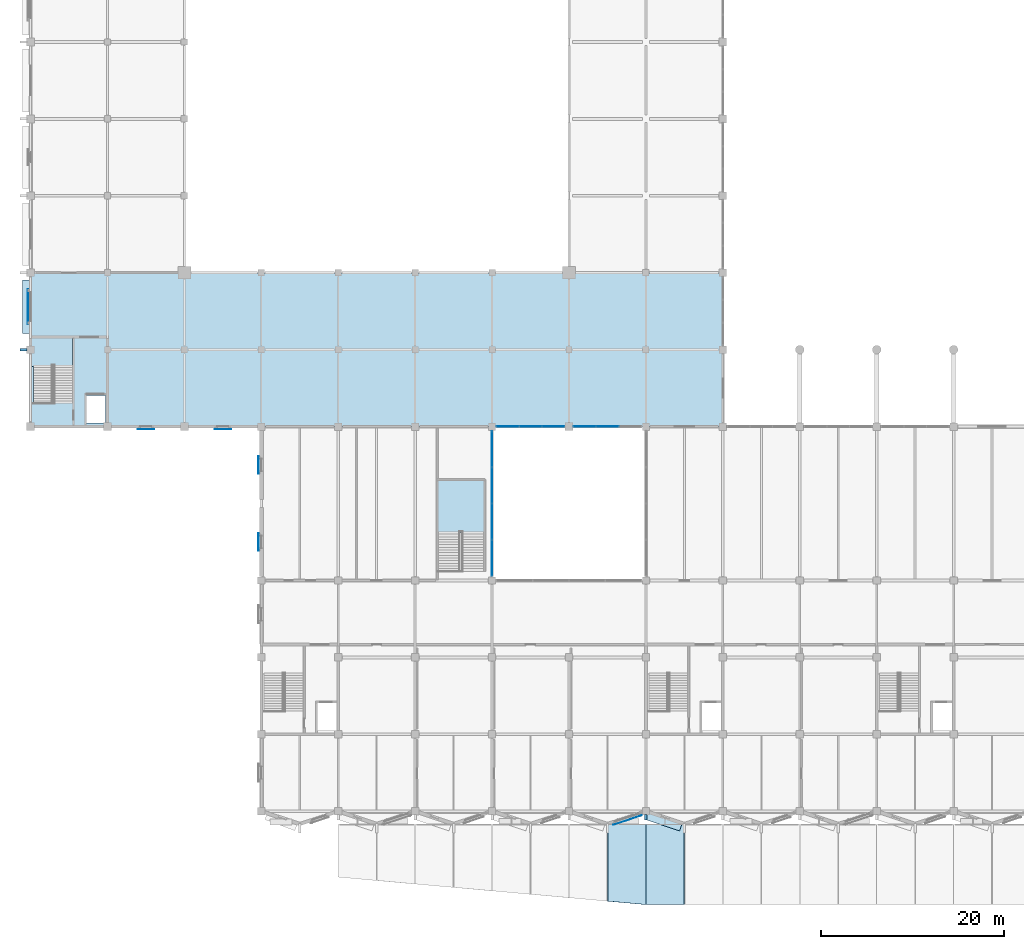
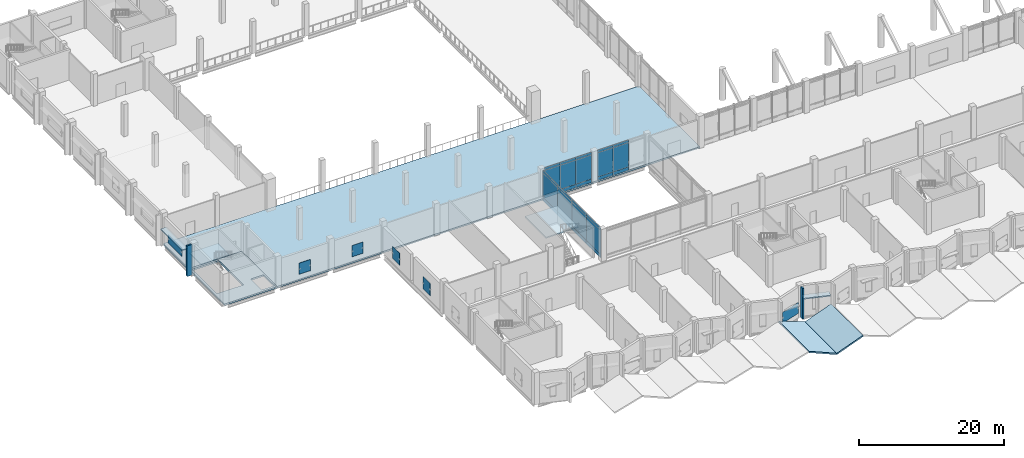
# One storey, part 34 of 72: 37 plates, 6 slabs, 5 elements without a shape of their own.
"""IFC4 building model written with IfcOpenShell, lengths in metres."""

from ifc_helpers import new_model, si_unit, direction, frame, frame_2d, origin, place, context, subcontext, project, spatial, polyline, rectangle, outline, extrude, material, layer, layer_set, type_object, element, aggregate, save


model = new_model("IFC4")

# Units and contexts
model_context = context("Model", 3, precision=1e-05, world=origin(), true_north=direction((0.0, 1.0)))
body_context = subcontext(model_context, "Body", "Model", "MODEL_VIEW")
ifc_project = project(units=[si_unit("LENGTHUNIT", "METRE"), si_unit("AREAUNIT", "SQUARE_METRE"), si_unit("VOLUMEUNIT", "CUBIC_METRE"), si_unit("PLANEANGLEUNIT", "RADIAN"), si_unit("MASSUNIT", "GRAM", prefix="KILO")], contexts=[model_context])

# Site, building, storey
site_placement = place(None, origin())
site = spatial("IfcSite", under=ifc_project, at=site_placement, CompositionType="ELEMENT")
building_placement = place(site_placement, origin())
building = spatial("IfcBuilding", under=site, at=building_placement, Name="Qawsi Khor Wholesale Market", CompositionType="ELEMENT")
storey_placement = place(building_placement, frame((0.0, 0.0, 6.0)))
storey = spatial("IfcBuildingStorey", under=building, at=storey_placement, Name="L01", CompositionType="ELEMENT", Elevation=6.0)

# Stair, slab
ifc_material_1 = material(Name="Concrete C40/50", Category="concrete")
stair_type_1 = type_object("IfcStairType", Name="Atrium Feature Stair 5400 Rise", PredefinedType="HALF_TURN_STAIR", material=ifc_material_1)
stair_1_placement = place(storey_placement, origin())
stair_1 = element("IfcStair", 1, at=stair_1_placement, inside=storey, type_object=stair_type_1, Name="Atrium feature stair W L01", PredefinedType="HALF_TURN_STAIR")
ifc_layer_1 = layer(ifc_material_1, 0.199951171875, Name="Concrete C40/50")
ifc_layer_set_1 = layer_set([ifc_layer_1], Name="Concrete C40/50")
slab_type_1 = type_object("IfcSlabType", Name="Atrium Feature Landing Slab 200 C40/50", PredefinedType="LANDING", material=ifc_layer_set_1)
slab_1_placement = place(storey_placement, frame((0.0, 0.0, 2.5)))
slab_1 = element("IfcSlab", 2, at=slab_1_placement, type_object=slab_type_1, Name="ST-AW-1 landing 1", PredefinedType="LANDING", context=body_context, shape_type="SweptSolid", body=[
    extrude(outline(polyline([(44.419921875, 30.389892578125), (49.580078125, 30.389892578125), (49.580078125, 36.219970703125), (44.419921875, 36.219970703125), (44.419921875, 30.389892578125)])), origin(), (0.0, 0.0, 1.0), 0.199951171875),
])
aggregate(stair_1, [slab_1])

# Slabs
ifc_layer_2 = layer(ifc_material_1, 0.22998046875, Name="Concrete C40/50")
ifc_layer_set_2 = layer_set([ifc_layer_2], Name="Concrete C40/50")
slab_type_2 = type_object("IfcSlabType", Name="Folded Concrete Canopy Slab 230 C40/50", PredefinedType="ROOF", material=ifc_layer_set_2)
slab_2_placement = place(storey_placement, frame((63.044921875, -9.824951171875, 1.419921875), z_axis=(0.353429429104, 0.0, 0.935461190346), x_axis=(0.932144938499, -0.084128011372, -0.352176505937)))
element("IfcSlab", 3, at=slab_2_placement, inside=storey, type_object=slab_type_2, Name="Boulevard Origami Canopy Facet 07B", PredefinedType="ROOF", context=body_context, shape_type="SweptSolid", body=[
    extrude(outline(polyline([(0.0, 0.0), (4.457492740954674, 0.0), (3.721372641452897, 8.71898085782447), (-0.7045720952374146, 8.345310249631991), (0.0, 0.0)])), origin(), (0.0, 0.0, -1.0), 0.22998046875),
])
slab_3_placement = place(storey_placement, frame((67.199951171875, -10.199951171875, -0.14990234375), z_axis=(-0.353429429104, 0.0, 0.935461190346), x_axis=(0.935461190346, 0.0, 0.353429429104)))
element("IfcSlab", 4, at=slab_3_placement, inside=storey, type_object=slab_type_2, Name="Boulevard Origami Canopy Facet 08A", PredefinedType="ROOF", context=body_context, shape_type="SweptSolid", body=[
    extrude(outline(polyline([(0.0, 0.0), (4.441690729402894, 0.0), (4.441690729402894, 8.75), (0.0, 8.75), (0.0, 0.0)])), origin(), (0.0, 0.0, -1.0), 0.22998046875),
])

# Curtain wall, plates
ifc_material_2 = material(Name="Aluminium Anodised Bronze", Category="aluminium")
ifc_layer_3 = layer(ifc_material_2, 0.179931640625, Name="Aluminium Anodised Bronze")
ifc_layer_set_3 = layer_set([ifc_layer_3], Name="Aluminium Anodised Bronze")
curtain_wall_type = type_object("IfcCurtainWallType", Name="Atrium Full-Height Curtain Wall CW-02", PredefinedType="NOTDEFINED", material=ifc_layer_set_3)
curtain_wall_1_placement = place(storey_placement, origin())
curtain_wall_1 = element("IfcCurtainWall", 5, at=curtain_wall_1_placement, inside=storey, type_object=curtain_wall_type, Name="Curtain wall CW-CW-02-L01-017", PredefinedType="NOTDEFINED")
ifc_material_3 = material(Name="Anodised Aluminium Spandrel", Category="aluminium")
ifc_layer_4 = layer(ifc_material_3, 0.06494140625, Name="Anodised Aluminium Spandrel")
ifc_layer_set_4 = layer_set([ifc_layer_4], Name="Anodised Aluminium Spandrel")
plate_type_1 = type_object("IfcPlateType", Name="Insulated Spandrel Panel CW-02 65mm", PredefinedType="CURTAIN_PANEL", material=ifc_layer_set_4)
plate_1_placement = place(storey_placement, frame((50.89501953125, 42.0, 0.0048828125), z_axis=(0.0, 0.0, 1.0), x_axis=(1.0, 0.0, 0.0)))
plate_1 = element("IfcPlate", 6, at=plate_1_placement, type_object=plate_type_1, Name="Curtain panel CW-CW-02-L01-017-P0_00", PredefinedType="CURTAIN_PANEL", context=body_context, shape_type="SweptSolid", body=[
    extrude(rectangle(XDim=2.469970703125, YDim=0.06494140625, at=frame_2d((1.23486328125, 0.0))), origin(), (0.0, 0.0, 1.0), 0.590087890625),
])
plate_2_placement = place(storey_placement, frame((53.364990234375, 42.0, 0.0048828125), z_axis=(0.0, 0.0, 1.0), x_axis=(1.0, 0.0, 0.0)))
plate_2 = element("IfcPlate", 7, at=plate_2_placement, type_object=plate_type_1, Name="Curtain panel CW-CW-02-L01-017-P0_01", PredefinedType="CURTAIN_PANEL", context=body_context, shape_type="SweptSolid", body=[
    extrude(rectangle(XDim=2.469970703125, YDim=0.06494140625, at=frame_2d((1.23486328125, 0.0))), origin(), (0.0, 0.0, 1.0), 0.590087890625),
])
plate_3_placement = place(storey_placement, frame((55.8349609375, 42.0, 0.0048828125), z_axis=(0.0, 0.0, 1.0), x_axis=(1.0, 0.0, 0.0)))
plate_3 = element("IfcPlate", 8, at=plate_3_placement, type_object=plate_type_1, Name="Curtain panel CW-CW-02-L01-017-P0_02", PredefinedType="CURTAIN_PANEL", context=body_context, shape_type="SweptSolid", body=[
    extrude(rectangle(XDim=2.469970703125, YDim=0.06494140625, at=frame_2d((1.23486328125, 0.0))), origin(), (0.0, 0.0, 1.0), 0.590087890625),
])

curtain_wall_2_placement = place(storey_placement, origin())
curtain_wall_2 = element("IfcCurtainWall", 9, at=curtain_wall_2_placement, inside=storey, type_object=curtain_wall_type, Name="Curtain wall CW-CW-02-L01-018", PredefinedType="NOTDEFINED")
plate_4_placement = place(storey_placement, frame((59.294921875, 42.0, 0.0048828125), z_axis=(0.0, 0.0, 1.0), x_axis=(1.0, 0.0, 0.0)))
plate_4 = element("IfcPlate", 10, at=plate_4_placement, type_object=plate_type_1, Name="Curtain panel CW-CW-02-L01-018-P0_00", PredefinedType="CURTAIN_PANEL", context=body_context, shape_type="SweptSolid", body=[
    extrude(rectangle(XDim=2.469970703125, YDim=0.06494140625, at=frame_2d((1.23486328125, 0.0))), origin(), (0.0, 0.0, 1.0), 0.590087890625),
])
plate_5_placement = place(storey_placement, frame((61.764892578125, 42.0, 0.0048828125), z_axis=(0.0, 0.0, 1.0), x_axis=(1.0, 0.0, 0.0)))
plate_5 = element("IfcPlate", 11, at=plate_5_placement, type_object=plate_type_1, Name="Curtain panel CW-CW-02-L01-018-P0_01", PredefinedType="CURTAIN_PANEL", context=body_context, shape_type="SweptSolid", body=[
    extrude(rectangle(XDim=2.47021484375, YDim=0.06494140625, at=frame_2d((1.235107421875, 0.0))), origin(), (0.0, 0.0, 1.0), 0.590087890625),
])

curtain_wall_3_placement = place(storey_placement, origin())
curtain_wall_3 = element("IfcCurtainWall", 12, at=curtain_wall_3_placement, inside=storey, type_object=curtain_wall_type, Name="Curtain wall CW-CW-02-L01-019", PredefinedType="NOTDEFINED")
plate_6_placement = place(storey_placement, frame((50.39990234375, 25.695068359375, 0.0048828125), z_axis=(0.0, 0.0, 1.0), x_axis=(0.0, 1.0, 0.0)))
plate_6 = element("IfcPlate", 13, at=plate_6_placement, type_object=plate_type_1, Name="Curtain panel CW-CW-02-L01-019-P0_00", PredefinedType="CURTAIN_PANEL", context=body_context, shape_type="SweptSolid", body=[
    extrude(rectangle(XDim=3.952392578125, YDim=0.06494140625, at=frame_2d((1.97607421875, 0.0))), origin(), (0.0, 0.0, 1.0), 0.590087890625),
])
plate_7_placement = place(storey_placement, frame((50.39990234375, 29.6474609375, 0.0048828125), z_axis=(0.0, 0.0, 1.0), x_axis=(0.0, 1.0, 0.0)))
plate_7 = element("IfcPlate", 14, at=plate_7_placement, type_object=plate_type_1, Name="Curtain panel CW-CW-02-L01-019-P0_01", PredefinedType="CURTAIN_PANEL", context=body_context, shape_type="SweptSolid", body=[
    extrude(rectangle(XDim=3.95263671875, YDim=0.06494140625, at=frame_2d((1.976318359375, 0.0))), origin(), (0.0, 0.0, 1.0), 0.590087890625),
])
plate_8_placement = place(storey_placement, frame((50.39990234375, 33.60009765625, 0.0048828125), z_axis=(0.0, 0.0, 1.0), x_axis=(0.0, 1.0, 0.0)))
plate_8 = element("IfcPlate", 15, at=plate_8_placement, type_object=plate_type_1, Name="Curtain panel CW-CW-02-L01-019-P0_02", PredefinedType="CURTAIN_PANEL", context=body_context, shape_type="SweptSolid", body=[
    extrude(rectangle(XDim=3.952392578125, YDim=0.06494140625, at=frame_2d((1.97607421875, 0.0))), origin(), (0.0, 0.0, 1.0), 0.590087890625),
])
plate_9_placement = place(storey_placement, frame((50.39990234375, 37.552490234375, 0.0048828125), z_axis=(0.0, 0.0, 1.0), x_axis=(0.0, 1.0, 0.0)))
plate_9 = element("IfcPlate", 16, at=plate_9_placement, type_object=plate_type_1, Name="Curtain panel CW-CW-02-L01-019-P0_03", PredefinedType="CURTAIN_PANEL", context=body_context, shape_type="SweptSolid", body=[
    extrude(rectangle(XDim=3.952392578125, YDim=0.06494140625, at=frame_2d((1.97607421875, 0.0))), origin(), (0.0, 0.0, 1.0), 0.590087890625),
])

# Slab
ifc_layer_5 = layer(ifc_material_1, 0.27001953125, Name="Concrete C40/50")
ifc_layer_set_5 = layer_set([ifc_layer_5], Name="Concrete C40/50")
slab_type_3 = type_object("IfcSlabType", Name="Mezzanine Floor Slab 265 C40/50", PredefinedType="FLOOR", material=ifc_layer_set_5)
slab_4_placement = place(storey_placement, frame((0.0, 0.0, -0.27001953125)))
element("IfcSlab", 17, at=slab_4_placement, inside=storey, type_object=slab_type_3, Name="SLB-L01-WHALL-S", PredefinedType="FLOOR", context=body_context, shape_type="SweptSolid", body=[
    extrude(outline(polyline([(0.0, 58.800048828125), (75.60009765625, 58.800048828125), (75.60009765625, 42.0), (8.39990234375, 42.0), (8.39990234375, 51.800048828125), (0.0, 51.800048828125), (0.0, 58.800048828125)])), origin(), (0.0, 0.0, 1.0), 0.27001953125),
])

# Plates
ifc_material_4 = material(Name="Perforated Bronze-Anodised Aluminium", Category="aluminium")
ifc_layer_6 = layer(ifc_material_4, 0.014892578125, Name="Perforated Bronze-Anodised Aluminium")
ifc_layer_set_6 = layer_set([ifc_layer_6], Name="Perforated Bronze-Anodised Aluminium")
plate_type_2 = type_object("IfcPlateType", Name="Perforated Bronze Mashrabiya Screen 15mm", PredefinedType="SHEET", material=ifc_layer_set_6)
plate_10_placement = place(storey_placement, frame((66.756103515625, -0.448486328125, 0.85009765625), z_axis=(0.0, 0.0, 1.0), x_axis=(-0.948690696143, -0.316205570874, 0.0)))
element("IfcPlate", 18, at=plate_10_placement, inside=storey, type_object=plate_type_2, Name="Solar mashrabiya screen 005", PredefinedType="SHEET", context=body_context, shape_type="SweptSolid", body=[
    extrude(rectangle(XDim=3.300048828125, YDim=0.014892578125, at=frame_2d((1.64990234375, 0.0))), origin(), (0.0, 0.0, 1.0), 1.849853515625),
])
plate_11_placement = place(storey_placement, frame((13.5, 41.72509765625, 1.050048828125), z_axis=(0.0, 0.0, 1.0), x_axis=(-1.0, 0.0, 0.0)))
element("IfcPlate", 19, at=plate_11_placement, inside=storey, type_object=plate_type_2, Name="Solar mashrabiya screen 074", PredefinedType="SHEET", context=body_context, shape_type="SweptSolid", body=[
    extrude(rectangle(XDim=1.800048828125, YDim=0.014892578125, at=frame_2d((0.89990234375, 0.0))), origin(), (0.0, 0.0, 1.0), 1.89990234375),
])
plate_12_placement = place(storey_placement, frame((21.89990234375, 41.72509765625, 1.050048828125), z_axis=(0.0, 0.0, 1.0), x_axis=(-1.0, 0.0, 0.0)))
element("IfcPlate", 20, at=plate_12_placement, inside=storey, type_object=plate_type_2, Name="Solar mashrabiya screen 075", PredefinedType="SHEET", context=body_context, shape_type="SweptSolid", body=[
    extrude(rectangle(XDim=1.7998046875, YDim=0.014892578125, at=frame_2d((0.89990234375, 0.0))), origin(), (0.0, 0.0, 1.0), 1.89990234375),
])
ifc_layer_7 = layer(ifc_material_4, 0.02001953125, Name="Perforated Bronze-Anodised Aluminium")
ifc_layer_set_7 = layer_set([ifc_layer_7], Name="Perforated Bronze-Anodised Aluminium")
plate_type_3 = type_object("IfcPlateType", Name="Perforated Bronze Mashrabiya Screen 20mm", PredefinedType="SHEET", material=ifc_layer_set_7)
for number, where, z_axis, x_axis, name in (
    (21, (24.885009765625, 28.425048828125, 0.89990234375), (0.0, 0.0, 1.0), (0.0, 1.0, 0.0), "Solar mashrabiya screen 058"),
    (22, (24.885009765625, 36.824951171875, 0.89990234375), (0.0, 0.0, 1.0), (0.0, 1.0, 0.0), "Solar mashrabiya screen 059"),
):
    element("IfcPlate", number, at=place(storey_placement, frame(where, z_axis=z_axis, x_axis=x_axis)), inside=storey, type_object=plate_type_3, Name=name, PredefinedType="SHEET", context=body_context, shape_type="SweptSolid", body=[
        extrude(rectangle(XDim=1.949951171875, YDim=0.02001953125, at=frame_2d((0.97509765625, 0.0))), origin(), (0.0, 0.0, 1.0), 2.050048828125),
    ])
plate_13_placement = place(storey_placement, frame((-0.27490234375, 53.18505859375, 1.300048828125), z_axis=(0.0, 0.0, 1.0), x_axis=(0.0, 1.0, 0.0)))
element("IfcPlate", 23, at=plate_13_placement, inside=storey, type_object=plate_type_3, Name="Solar mashrabiya screen 071", PredefinedType="SHEET", context=body_context, shape_type="SweptSolid", body=[
    extrude(rectangle(XDim=3.800048828125, YDim=0.02001953125, at=frame_2d((1.89990234375, 0.0))), origin(), (0.0, 0.0, 1.0), 1.39990234375),
])
ifc_layer_8 = layer(ifc_material_1, 0.260009765625, Name="Concrete C40/50")
ifc_layer_set_8 = layer_set([ifc_layer_8], Name="Concrete C40/50")
plate_type_4 = type_object("IfcPlateType", Name="Sculpted Concrete Solar Buttress Fin 260", PredefinedType="SHEET", material=ifc_layer_set_8)
plate_14_placement = place(storey_placement, frame((67.199951171875, -0.949951171875, 0.0), z_axis=(0.0, 0.0, 1.0), x_axis=(0.0, 1.0, 0.0)))
element("IfcPlate", 24, at=plate_14_placement, inside=storey, type_object=plate_type_4, Name="Boulevard concrete solar buttress fin L01-10", PredefinedType="SHEET", context=body_context, shape_type="SweptSolid", body=[
    extrude(rectangle(XDim=0.570068359375, YDim=0.260009765625, at=frame_2d((0.28515625, 0.0))), origin(), (0.0, 0.0, 1.0), 5.1201171875),
])
plate_15_placement = place(storey_placement, frame((-1.14990234375, 50.39990234375, 0.0), z_axis=(0.0, 0.0, 1.0), x_axis=(1.0, 0.0, 0.0)))
element("IfcPlate", 25, at=plate_15_placement, inside=storey, type_object=plate_type_4, Name="West Hall Concrete Buttress Rib L01-6", PredefinedType="SHEET", context=body_context, shape_type="SweptSolid", body=[
    extrude(rectangle(XDim=0.760009765625, YDim=0.260009765625, at=frame_2d((0.3798828125, 0.0))), origin(), (0.0, 0.0, 1.0), 5.1298828125),
])
ifc_layer_9 = layer(ifc_material_1, 0.949951171875, Name="Concrete C40/50")
ifc_layer_set_9 = layer_set([ifc_layer_9], Name="Concrete C40/50")
plate_type_5 = type_object("IfcPlateType", Name="Sculpted Concrete Sun-Hood Canopy 950", PredefinedType="SHEET", material=ifc_layer_set_9)
plate_16_placement = place(storey_placement, frame((67.310791015625, -0.45849609375, 3.25), z_axis=(0.0, 0.0, 1.0), x_axis=(0.94867708111, -0.316246416226, 0.0)))
element("IfcPlate", 26, at=plate_16_placement, inside=storey, type_object=plate_type_5, Name="Sculpted concrete sun-hood L01-11", PredefinedType="SHEET", context=body_context, shape_type="SweptSolid", body=[
    extrude(rectangle(XDim=3.92724609375, YDim=0.949951171875, at=frame_2d((1.963623046875, 0.0))), origin(), (0.0, 0.0, 1.0), 0.18994140625),
])
plate_17_placement = place(storey_placement, frame((-0.425048828125, 52.14990234375, 3.050048828125), z_axis=(0.0, 0.0, 1.0), x_axis=(0.0, 1.0, 0.0)))
element("IfcPlate", 27, at=plate_17_placement, inside=storey, type_object=plate_type_5, Name="West Hall Concrete Sun-Hood L01-6", PredefinedType="SHEET", context=body_context, shape_type="SweptSolid", body=[
    extrude(rectangle(XDim=5.8701171875, YDim=0.949951171875, at=frame_2d((2.93505859375, 0.0))), origin(), (0.0, 0.0, 1.0), 0.18994140625),
])

# Plate
ifc_material_5 = material(Name="Tempered Low-E Solar Glass", Category="glass")
ifc_layer_10 = layer(ifc_material_5, 0.031982421875, Name="Tempered Low-E Solar Glass")
ifc_layer_set_10 = layer_set([ifc_layer_10], Name="Tempered Low-E Solar Glass")
plate_type_6 = type_object("IfcPlateType", Name="Solar Double-Glazed Unit CW-02 32mm", PredefinedType="CURTAIN_PANEL", material=ifc_layer_set_10)
plate_18_placement = place(storey_placement, frame((50.89501953125, 42.0, 0.60498046875), z_axis=(0.0, 0.0, 1.0), x_axis=(1.0, 0.0, 0.0)))
plate_18 = element("IfcPlate", 28, at=plate_18_placement, type_object=plate_type_6, Name="Curtain panel CW-CW-02-L01-017-P1_00", PredefinedType="CURTAIN_PANEL", context=body_context, shape_type="SweptSolid", body=[
    extrude(rectangle(XDim=2.469970703125, YDim=0.031982421875, at=frame_2d((1.23486328125, 0.0))), origin(), (0.0, 0.0, 1.0), 4.06005859375),
])

plate_19_placement = place(storey_placement, frame((53.364990234375, 42.0, 0.60498046875), z_axis=(0.0, 0.0, 1.0), x_axis=(1.0, 0.0, 0.0)))
plate_19 = element("IfcPlate", 29, at=plate_19_placement, type_object=plate_type_6, Name="Curtain panel CW-CW-02-L01-017-P1_01", PredefinedType="CURTAIN_PANEL", context=body_context, shape_type="SweptSolid", body=[
    extrude(rectangle(XDim=2.469970703125, YDim=0.031982421875, at=frame_2d((1.23486328125, 0.0))), origin(), (0.0, 0.0, 1.0), 4.06005859375),
])

plate_20_placement = place(storey_placement, frame((55.8349609375, 42.0, 0.60498046875), z_axis=(0.0, 0.0, 1.0), x_axis=(1.0, 0.0, 0.0)))
plate_20 = element("IfcPlate", 30, at=plate_20_placement, type_object=plate_type_6, Name="Curtain panel CW-CW-02-L01-017-P1_02", PredefinedType="CURTAIN_PANEL", context=body_context, shape_type="SweptSolid", body=[
    extrude(rectangle(XDim=2.469970703125, YDim=0.031982421875, at=frame_2d((1.23486328125, 0.0))), origin(), (0.0, 0.0, 1.0), 4.06005859375),
])

plate_21_placement = place(storey_placement, frame((50.89501953125, 42.0, 4.675048828125), z_axis=(0.0, 0.0, 1.0), x_axis=(1.0, 0.0, 0.0)))
plate_21 = element("IfcPlate", 31, at=plate_21_placement, type_object=plate_type_6, Name="Curtain panel CW-CW-02-L01-017-P2_00", PredefinedType="CURTAIN_PANEL", context=body_context, shape_type="SweptSolid", body=[
    extrude(rectangle(XDim=2.469970703125, YDim=0.031982421875, at=frame_2d((1.23486328125, 0.0))), origin(), (0.0, 0.0, 1.0), 0.43994140625),
])

plate_22_placement = place(storey_placement, frame((53.364990234375, 42.0, 4.675048828125), z_axis=(0.0, 0.0, 1.0), x_axis=(1.0, 0.0, 0.0)))
plate_22 = element("IfcPlate", 32, at=plate_22_placement, type_object=plate_type_6, Name="Curtain panel CW-CW-02-L01-017-P2_01", PredefinedType="CURTAIN_PANEL", context=body_context, shape_type="SweptSolid", body=[
    extrude(rectangle(XDim=2.469970703125, YDim=0.031982421875, at=frame_2d((1.23486328125, 0.0))), origin(), (0.0, 0.0, 1.0), 0.43994140625),
])

plate_23_placement = place(storey_placement, frame((55.8349609375, 42.0, 4.675048828125), z_axis=(0.0, 0.0, 1.0), x_axis=(1.0, 0.0, 0.0)))
plate_23 = element("IfcPlate", 33, at=plate_23_placement, type_object=plate_type_6, Name="Curtain panel CW-CW-02-L01-017-P2_02", PredefinedType="CURTAIN_PANEL", context=body_context, shape_type="SweptSolid", body=[
    extrude(rectangle(XDim=2.469970703125, YDim=0.031982421875, at=frame_2d((1.23486328125, 0.0))), origin(), (0.0, 0.0, 1.0), 0.43994140625),
])

aggregate(curtain_wall_1, [plate_1, plate_2, plate_3, plate_18, plate_19, plate_20, plate_21, plate_22, plate_23])

plate_24_placement = place(storey_placement, frame((59.294921875, 42.0, 0.60498046875), z_axis=(0.0, 0.0, 1.0), x_axis=(1.0, 0.0, 0.0)))
plate_24 = element("IfcPlate", 34, at=plate_24_placement, type_object=plate_type_6, Name="Curtain panel CW-CW-02-L01-018-P1_00", PredefinedType="CURTAIN_PANEL", context=body_context, shape_type="SweptSolid", body=[
    extrude(rectangle(XDim=2.469970703125, YDim=0.031982421875, at=frame_2d((1.23486328125, 0.0))), origin(), (0.0, 0.0, 1.0), 4.06005859375),
])

plate_25_placement = place(storey_placement, frame((61.764892578125, 42.0, 0.60498046875), z_axis=(0.0, 0.0, 1.0), x_axis=(1.0, 0.0, 0.0)))
plate_25 = element("IfcPlate", 35, at=plate_25_placement, type_object=plate_type_6, Name="Curtain panel CW-CW-02-L01-018-P1_01", PredefinedType="CURTAIN_PANEL", context=body_context, shape_type="SweptSolid", body=[
    extrude(rectangle(XDim=2.47021484375, YDim=0.031982421875, at=frame_2d((1.235107421875, 0.0))), origin(), (0.0, 0.0, 1.0), 4.06005859375),
])

plate_26_placement = place(storey_placement, frame((59.294921875, 42.0, 4.675048828125), z_axis=(0.0, 0.0, 1.0), x_axis=(1.0, 0.0, 0.0)))
plate_26 = element("IfcPlate", 36, at=plate_26_placement, type_object=plate_type_6, Name="Curtain panel CW-CW-02-L01-018-P2_00", PredefinedType="CURTAIN_PANEL", context=body_context, shape_type="SweptSolid", body=[
    extrude(rectangle(XDim=2.469970703125, YDim=0.031982421875, at=frame_2d((1.23486328125, 0.0))), origin(), (0.0, 0.0, 1.0), 0.43994140625),
])

plate_27_placement = place(storey_placement, frame((61.764892578125, 42.0, 4.675048828125), z_axis=(0.0, 0.0, 1.0), x_axis=(1.0, 0.0, 0.0)))
plate_27 = element("IfcPlate", 37, at=plate_27_placement, type_object=plate_type_6, Name="Curtain panel CW-CW-02-L01-018-P2_01", PredefinedType="CURTAIN_PANEL", context=body_context, shape_type="SweptSolid", body=[
    extrude(rectangle(XDim=2.47021484375, YDim=0.031982421875, at=frame_2d((1.235107421875, 0.0))), origin(), (0.0, 0.0, 1.0), 0.43994140625),
])

aggregate(curtain_wall_2, [plate_4, plate_5, plate_24, plate_25, plate_26, plate_27])

plate_28_placement = place(storey_placement, frame((50.39990234375, 25.695068359375, 0.60498046875), z_axis=(0.0, 0.0, 1.0), x_axis=(0.0, 1.0, 0.0)))
plate_28 = element("IfcPlate", 38, at=plate_28_placement, type_object=plate_type_6, Name="Curtain panel CW-CW-02-L01-019-P1_00", PredefinedType="CURTAIN_PANEL", context=body_context, shape_type="SweptSolid", body=[
    extrude(rectangle(XDim=3.952392578125, YDim=0.031982421875, at=frame_2d((1.97607421875, 0.0))), origin(), (0.0, 0.0, 1.0), 4.06005859375),
])

plate_29_placement = place(storey_placement, frame((50.39990234375, 29.6474609375, 0.60498046875), z_axis=(0.0, 0.0, 1.0), x_axis=(0.0, 1.0, 0.0)))
plate_29 = element("IfcPlate", 39, at=plate_29_placement, type_object=plate_type_6, Name="Curtain panel CW-CW-02-L01-019-P1_01", PredefinedType="CURTAIN_PANEL", context=body_context, shape_type="SweptSolid", body=[
    extrude(rectangle(XDim=3.95263671875, YDim=0.031982421875, at=frame_2d((1.976318359375, 0.0))), origin(), (0.0, 0.0, 1.0), 4.06005859375),
])

plate_30_placement = place(storey_placement, frame((50.39990234375, 33.60009765625, 0.60498046875), z_axis=(0.0, 0.0, 1.0), x_axis=(0.0, 1.0, 0.0)))
plate_30 = element("IfcPlate", 40, at=plate_30_placement, type_object=plate_type_6, Name="Curtain panel CW-CW-02-L01-019-P1_02", PredefinedType="CURTAIN_PANEL", context=body_context, shape_type="SweptSolid", body=[
    extrude(rectangle(XDim=3.952392578125, YDim=0.031982421875, at=frame_2d((1.97607421875, 0.0))), origin(), (0.0, 0.0, 1.0), 4.06005859375),
])

plate_31_placement = place(storey_placement, frame((50.39990234375, 37.552490234375, 0.60498046875), z_axis=(0.0, 0.0, 1.0), x_axis=(0.0, 1.0, 0.0)))
plate_31 = element("IfcPlate", 41, at=plate_31_placement, type_object=plate_type_6, Name="Curtain panel CW-CW-02-L01-019-P1_03", PredefinedType="CURTAIN_PANEL", context=body_context, shape_type="SweptSolid", body=[
    extrude(rectangle(XDim=3.952392578125, YDim=0.031982421875, at=frame_2d((1.97607421875, 0.0))), origin(), (0.0, 0.0, 1.0), 4.06005859375),
])

plate_32_placement = place(storey_placement, frame((50.39990234375, 25.695068359375, 4.675048828125), z_axis=(0.0, 0.0, 1.0), x_axis=(0.0, 1.0, 0.0)))
plate_32 = element("IfcPlate", 42, at=plate_32_placement, type_object=plate_type_6, Name="Curtain panel CW-CW-02-L01-019-P2_00", PredefinedType="CURTAIN_PANEL", context=body_context, shape_type="SweptSolid", body=[
    extrude(rectangle(XDim=3.952392578125, YDim=0.031982421875, at=frame_2d((1.97607421875, 0.0))), origin(), (0.0, 0.0, 1.0), 0.43994140625),
])

plate_33_placement = place(storey_placement, frame((50.39990234375, 29.6474609375, 4.675048828125), z_axis=(0.0, 0.0, 1.0), x_axis=(0.0, 1.0, 0.0)))
plate_33 = element("IfcPlate", 43, at=plate_33_placement, type_object=plate_type_6, Name="Curtain panel CW-CW-02-L01-019-P2_01", PredefinedType="CURTAIN_PANEL", context=body_context, shape_type="SweptSolid", body=[
    extrude(rectangle(XDim=3.95263671875, YDim=0.031982421875, at=frame_2d((1.976318359375, 0.0))), origin(), (0.0, 0.0, 1.0), 0.43994140625),
])

plate_34_placement = place(storey_placement, frame((50.39990234375, 33.60009765625, 4.675048828125), z_axis=(0.0, 0.0, 1.0), x_axis=(0.0, 1.0, 0.0)))
plate_34 = element("IfcPlate", 44, at=plate_34_placement, type_object=plate_type_6, Name="Curtain panel CW-CW-02-L01-019-P2_02", PredefinedType="CURTAIN_PANEL", context=body_context, shape_type="SweptSolid", body=[
    extrude(rectangle(XDim=3.952392578125, YDim=0.031982421875, at=frame_2d((1.97607421875, 0.0))), origin(), (0.0, 0.0, 1.0), 0.43994140625),
])

plate_35_placement = place(storey_placement, frame((50.39990234375, 37.552490234375, 4.675048828125), z_axis=(0.0, 0.0, 1.0), x_axis=(0.0, 1.0, 0.0)))
plate_35 = element("IfcPlate", 45, at=plate_35_placement, type_object=plate_type_6, Name="Curtain panel CW-CW-02-L01-019-P2_03", PredefinedType="CURTAIN_PANEL", context=body_context, shape_type="SweptSolid", body=[
    extrude(rectangle(XDim=3.952392578125, YDim=0.031982421875, at=frame_2d((1.97607421875, 0.0))), origin(), (0.0, 0.0, 1.0), 0.43994140625),
])

aggregate(curtain_wall_3, [plate_6, plate_7, plate_8, plate_9, plate_28, plate_29, plate_30, plate_31, plate_32, plate_33, plate_34, plate_35])

# Stair, slab
stair_type_2 = type_object("IfcStairType", Name="Exit Stair L01-L02 5400 Rise", PredefinedType="HALF_TURN_STAIR", material=ifc_material_1)
stair_2_placement = place(storey_placement, origin())
stair_2 = element("IfcStair", 46, at=stair_2_placement, inside=storey, type_object=stair_type_2, Name="Stair ST-07 L01", PredefinedType="HALF_TURN_STAIR")
ifc_layer_11 = layer(ifc_material_1, 0.179931640625, Name="Concrete C40/50")
ifc_layer_set_11 = layer_set([ifc_layer_11], Name="Concrete C40/50")
slab_type_4 = type_object("IfcSlabType", Name="Stair Half-Landing Slab 180 C40/50", PredefinedType="LANDING", material=ifc_layer_set_11)
slab_5_placement = place(storey_placement, frame((0.0, 0.0, 2.52001953125)))
slab_5 = element("IfcSlab", 47, at=slab_5_placement, type_object=slab_type_4, Name="ST-07-L01 landing 1", PredefinedType="LANDING", context=body_context, shape_type="SweptSolid", body=[
    extrude(outline(polyline([(0.050048828125, 48.56005859375), (4.580078125, 48.56005859375), (4.580078125, 51.75), (0.050048828125, 51.75), (0.050048828125, 48.56005859375)])), origin(), (0.0, 0.0, 1.0), 0.179931640625),
])
aggregate(stair_2, [slab_5])

# Slab
ifc_layer_12 = layer(ifc_material_1, 0.280029296875, Name="Concrete C40/50")
ifc_layer_set_12 = layer_set([ifc_layer_12], Name="Concrete C40/50")
slab_type_5 = type_object("IfcSlabType", Name="Suspended Floor Slab 280 C40/50", PredefinedType="FLOOR", material=ifc_layer_set_12)
slab_6_placement = place(storey_placement, frame((0.0, 0.0, -0.280029296875)))
element("IfcSlab", 48, at=slab_6_placement, inside=storey, type_object=slab_type_5, Name="Core floor slab L01 C07", PredefinedType="FLOOR", context=body_context, shape_type="SweptSolid", body=[
    extrude(outline(polyline([(0.0, 51.800048828125), (8.39990234375, 51.800048828125), (8.39990234375, 42.0), (0.0, 42.0), (0.0, 51.800048828125)]), holes=[polyline([(6.1201171875, 42.39990234375), (8.199951171875, 42.39990234375), (8.199951171875, 45.39990234375), (6.1201171875, 45.39990234375), (6.1201171875, 42.39990234375)]), polyline([(0.340087890625, 44.679931640625), (4.580078125, 44.679931640625), (4.580078125, 51.4599609375), (0.340087890625, 51.4599609375), (0.340087890625, 44.679931640625)])]), origin(), (0.0, 0.0, 1.0), 0.280029296875),
])

save(model, "model.ifc")
